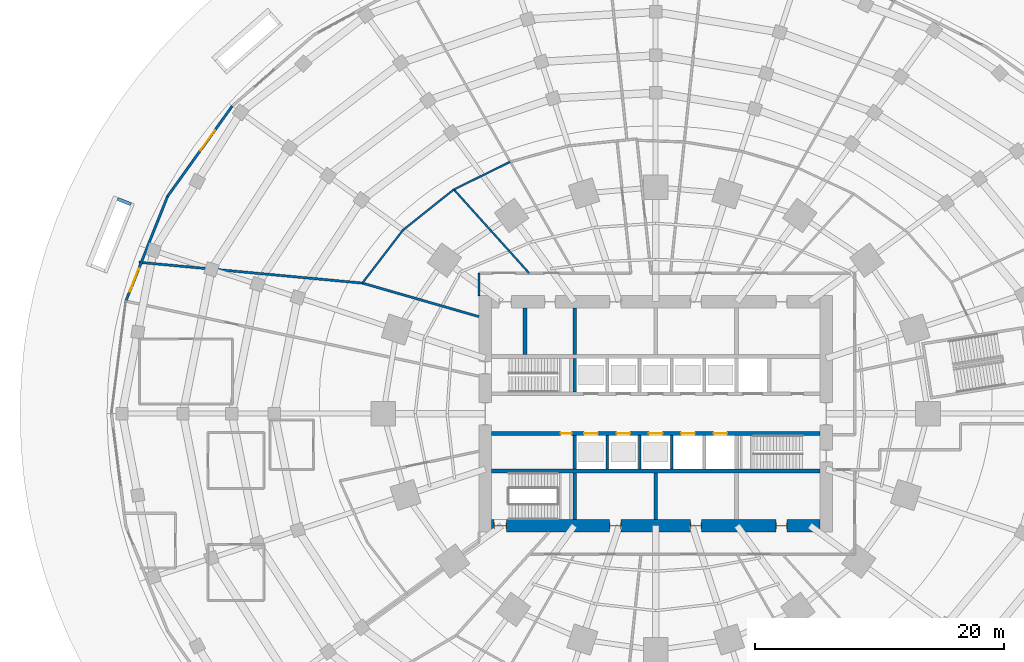
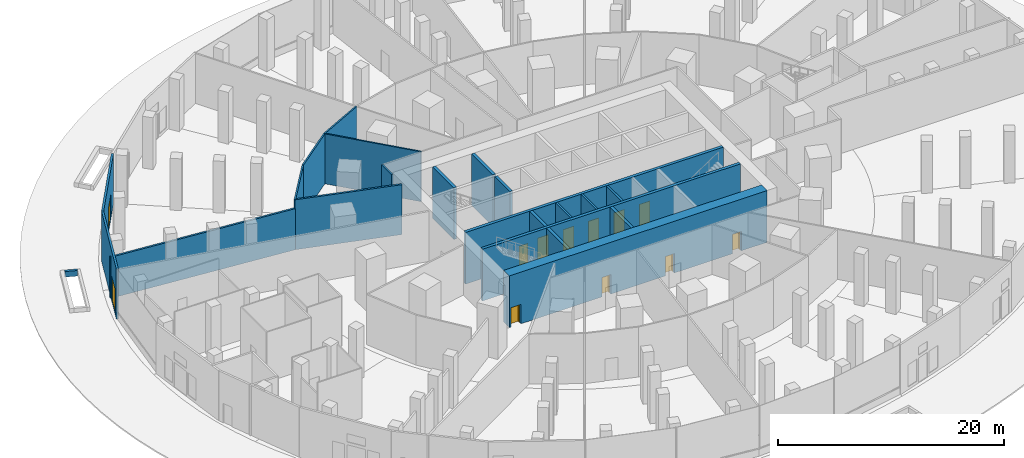
# One storey, part 16 of 23: 22 walls, 12 doors, 12 openings.
"""IFC4 building model written with IfcOpenShell, lengths in metres."""

from ifc_helpers import new_model, si_unit, direction, frame, frame_2d, origin, place, context, subcontext, project, spatial, rectangle, extrude, material, layer, layer_set, type_object, element, fill, save


model = new_model("IFC4")

# Units and contexts
model_context = context("Model", 3, precision=1e-05, world=origin(), true_north=direction((0.0, 1.0)))
body_context = subcontext(model_context, "Body", "Model", "MODEL_VIEW")
ifc_project = project(units=[si_unit("LENGTHUNIT", "METRE"), si_unit("AREAUNIT", "SQUARE_METRE"), si_unit("VOLUMEUNIT", "CUBIC_METRE"), si_unit("PLANEANGLEUNIT", "RADIAN"), si_unit("MASSUNIT", "GRAM", prefix="KILO")], contexts=[model_context])

# Site, building, storey
site_placement = place(None, origin())
site = spatial("IfcSite", under=ifc_project, at=site_placement, CompositionType="ELEMENT")
building_placement = place(site_placement, origin())
building = spatial("IfcBuilding", under=site, at=building_placement, Name="Marramba Exchange Tower", CompositionType="ELEMENT")
storey_placement = place(building_placement, origin())
storey = spatial("IfcBuildingStorey", under=building, at=storey_placement, Name="L00", CompositionType="ELEMENT", Elevation=0.0)

# Walls
ifc_material_1 = material(Name="Concrete N50", Category="concrete")
ifc_layer_1 = layer(ifc_material_1, 0.199951171875)
ifc_layer_set_1 = layer_set([ifc_layer_1], Name="Core shaft wall 200")
wall_type_1 = type_object("IfcWallType", Name="Core shaft wall 200", PredefinedType="SHEAR", material=ifc_layer_set_1)
for number, where, z_axis, x_axis, name in (
    (1, (-3.89990234375, -1.75, 0.0), (0.0, 0.0, 1.0), (0.0, -1.0, 0.0), "Core wall SHS1 L00"),
    (2, (-1.300048828125, -1.75, 0.0), (0.0, 0.0, 1.0), (0.0, -1.0, 0.0), "Core wall SHS2 L00"),
    (3, (1.300048828125, -1.75, 0.0), (0.0, 0.0, 1.0), (0.0, -1.0, 0.0), "Core wall SHS3 L00"),
):
    element("IfcWall", number, at=place(storey_placement, frame(where, z_axis=z_axis, x_axis=x_axis)), inside=storey, type_object=wall_type_1, Name=name, PredefinedType="SHEAR", context=body_context, shape_type="SweptSolid", body=[
        extrude(rectangle(XDim=2.699951171875, YDim=0.199951171875, at=frame_2d((1.35009765625, 0.0))), origin(), (0.0, 0.0, 1.0), 5.60009765625),
    ])

# Wall, openings, doors
ifc_layer_2 = layer(ifc_material_1, 1.0)
ifc_layer_set_2 = layer_set([ifc_layer_2], Name="Core wall 1000")
wall_type_2 = type_object("IfcWallType", Name="Core wall 1000", PredefinedType="SHEAR", material=ifc_layer_set_2)
wall_1_placement = place(storey_placement, frame((-13.199951171875, -9.0, 0.0), z_axis=(0.0, 0.0, 1.0), x_axis=(1.0, 0.0, 0.0)))
wall_1 = element("IfcWall", 4, at=wall_1_placement, inside=storey, type_object=wall_type_2, Name="Core wall S L00", PredefinedType="SHEAR", context=body_context, shape_type="SweptSolid", body=[
    extrude(rectangle(XDim=26.39990234375, YDim=1.0, at=frame_2d((13.199951171875, 0.0))), origin(), (0.0, 0.0, 1.0), 5.60009765625),
])
opening_1_placement = place(wall_1_placement, frame((0.199951171875, 0.0, 0.0)))
opening_1 = element("IfcOpeningElement", 5, at=opening_1_placement, cuts=wall_1, Name="Opening D2", PredefinedType="OPENING", context=body_context, shape_type="SweptSolid", body=[
    extrude(rectangle(XDim=1.0, YDim=2.10009765625, at=frame_2d((0.5, 1.050048828125))), frame((0.0, 0.510009765625, 0.0), z_axis=(0.0, -1.0, 0.0), x_axis=(1.0, 0.0, 0.0)), (0.0, 0.0, 1.0), 1.02001953125),
])
opening_2_placement = place(wall_1_placement, frame((9.5, 0.0, 0.0)))
opening_2 = element("IfcOpeningElement", 6, at=opening_2_placement, cuts=wall_1, Name="Opening D5", PredefinedType="OPENING", context=body_context, shape_type="SweptSolid", body=[
    extrude(rectangle(XDim=0.89990234375, YDim=2.10009765625, at=frame_2d((0.449951171875, 1.050048828125))), frame((0.0, 0.510009765625, 0.0), z_axis=(0.0, -1.0, 0.0), x_axis=(1.0, 0.0, 0.0)), (0.0, 0.0, 1.0), 1.02001953125),
])
opening_3_placement = place(wall_1_placement, frame((16.0, 0.0, 0.0)))
opening_3 = element("IfcOpeningElement", 7, at=opening_3_placement, cuts=wall_1, Name="Opening D5", PredefinedType="OPENING", context=body_context, shape_type="SweptSolid", body=[
    extrude(rectangle(XDim=0.89990234375, YDim=2.10009765625, at=frame_2d((0.449951171875, 1.050048828125))), frame((0.0, 0.510009765625, 0.0), z_axis=(0.0, -1.0, 0.0), x_axis=(1.0, 0.0, 0.0)), (0.0, 0.0, 1.0), 1.02001953125),
])
opening_4_placement = place(wall_1_placement, frame((22.85009765625, 0.0, 0.0)))
opening_4 = element("IfcOpeningElement", 8, at=opening_4_placement, cuts=wall_1, Name="Opening D5", PredefinedType="OPENING", context=body_context, shape_type="SweptSolid", body=[
    extrude(rectangle(XDim=0.89990234375, YDim=2.10009765625, at=frame_2d((0.449951171875, 1.050048828125))), frame((0.0, 0.510009765625, 0.0), z_axis=(0.0, -1.0, 0.0), x_axis=(1.0, 0.0, 0.0)), (0.0, 0.0, 1.0), 1.02001953125),
])
ifc_material_2 = material(Name="Steel-framed door", Category="steel")
door_type_1 = type_object("IfcDoorType", Name="Service door 900x2100", OperationType="SINGLE_SWING_LEFT", PredefinedType="DOOR", material=ifc_material_2)
door_1_placement = place(opening_2_placement, origin())
door_1 = element("IfcDoor", 9, at=door_1_placement, inside=storey, type_object=door_type_1, Name="D5 ahu L00", OperationType="SINGLE_SWING_RIGHT", OverallHeight=2.10009765625, OverallWidth=0.89990234375, PredefinedType="DOOR", context=body_context, shape_type="SweptSolid", body=[
    extrude(rectangle(XDim=0.81982421875, YDim=2.06005859375, at=frame_2d((0.449951171875, 1.030029296875))), frame((0.0, 0.02490234375, 0.0), z_axis=(0.0, -1.0, 0.0), x_axis=(1.0, 0.0, 0.0)), (0.0, 0.0, 1.0), 0.050048828125),
    extrude(rectangle(XDim=0.04, YDim=2.10009765625, at=frame_2d((0.02001953125, 1.050048828125))), frame((0.0, 0.25, 0.0), z_axis=(0.0, -1.0, 0.0), x_axis=(1.0, 0.0, 0.0)), (0.0, 0.0, 1.0), 0.5),
    extrude(rectangle(XDim=0.04, YDim=2.10009765625, at=frame_2d((0.8798828125, 1.050048828125))), frame((0.0, 0.25, 0.0), z_axis=(0.0, -1.0, 0.0), x_axis=(1.0, 0.0, 0.0)), (0.0, 0.0, 1.0), 0.5),
    extrude(rectangle(XDim=0.81982421875, YDim=0.04, at=frame_2d((0.449951171875, 2.080078125))), frame((0.0, 0.25, 0.0), z_axis=(0.0, -1.0, 0.0), x_axis=(1.0, 0.0, 0.0)), (0.0, 0.0, 1.0), 0.5),
])
fill(opening_2, door_1)
door_2_placement = place(opening_3_placement, origin())
door_2 = element("IfcDoor", 10, at=door_2_placement, inside=storey, type_object=door_type_1, Name="D5 switch L00", OperationType="SINGLE_SWING_RIGHT", OverallHeight=2.10009765625, OverallWidth=0.89990234375, PredefinedType="DOOR", context=body_context, shape_type="SweptSolid", body=[
    extrude(rectangle(XDim=0.81982421875, YDim=2.06005859375, at=frame_2d((0.449951171875, 1.030029296875))), frame((0.0, 0.02490234375, 0.0), z_axis=(0.0, -1.0, 0.0), x_axis=(1.0, 0.0, 0.0)), (0.0, 0.0, 1.0), 0.050048828125),
    extrude(rectangle(XDim=0.04, YDim=2.10009765625, at=frame_2d((0.02001953125, 1.050048828125))), frame((0.0, 0.25, 0.0), z_axis=(0.0, -1.0, 0.0), x_axis=(1.0, 0.0, 0.0)), (0.0, 0.0, 1.0), 0.5),
    extrude(rectangle(XDim=0.04, YDim=2.10009765625, at=frame_2d((0.8798828125, 1.050048828125))), frame((0.0, 0.25, 0.0), z_axis=(0.0, -1.0, 0.0), x_axis=(1.0, 0.0, 0.0)), (0.0, 0.0, 1.0), 0.5),
    extrude(rectangle(XDim=0.81982421875, YDim=0.04, at=frame_2d((0.449951171875, 2.080078125))), frame((0.0, 0.25, 0.0), z_axis=(0.0, -1.0, 0.0), x_axis=(1.0, 0.0, 0.0)), (0.0, 0.0, 1.0), 0.5),
])
fill(opening_3, door_2)
door_3_placement = place(opening_4_placement, origin())
door_3 = element("IfcDoor", 11, at=door_3_placement, inside=storey, type_object=door_type_1, Name="D5 cstore L00", OperationType="SINGLE_SWING_RIGHT", OverallHeight=2.10009765625, OverallWidth=0.89990234375, PredefinedType="DOOR", context=body_context, shape_type="SweptSolid", body=[
    extrude(rectangle(XDim=0.81982421875, YDim=2.06005859375, at=frame_2d((0.449951171875, 1.030029296875))), frame((0.0, 0.02490234375, 0.0), z_axis=(0.0, -1.0, 0.0), x_axis=(1.0, 0.0, 0.0)), (0.0, 0.0, 1.0), 0.050048828125),
    extrude(rectangle(XDim=0.04, YDim=2.10009765625, at=frame_2d((0.02001953125, 1.050048828125))), frame((0.0, 0.25, 0.0), z_axis=(0.0, -1.0, 0.0), x_axis=(1.0, 0.0, 0.0)), (0.0, 0.0, 1.0), 0.5),
    extrude(rectangle(XDim=0.04, YDim=2.10009765625, at=frame_2d((0.8798828125, 1.050048828125))), frame((0.0, 0.25, 0.0), z_axis=(0.0, -1.0, 0.0), x_axis=(1.0, 0.0, 0.0)), (0.0, 0.0, 1.0), 0.5),
    extrude(rectangle(XDim=0.81982421875, YDim=0.04, at=frame_2d((0.449951171875, 2.080078125))), frame((0.0, 0.25, 0.0), z_axis=(0.0, -1.0, 0.0), x_axis=(1.0, 0.0, 0.0)), (0.0, 0.0, 1.0), 0.5),
])
fill(opening_4, door_3)
door_type_2 = type_object("IfcDoorType", Name="Stair door 1000x2100", OperationType="SINGLE_SWING_LEFT", PredefinedType="DOOR", material=ifc_material_2)
door_4_placement = place(opening_1_placement, frame((1.0, 0.0, 0.0), z_axis=(0.0, 0.0, 1.0), x_axis=(-1.0, 0.0, 0.0)))
door_4 = element("IfcDoor", 12, at=door_4_placement, inside=storey, type_object=door_type_2, Name="D2 stair ST3 L00", OperationType="SINGLE_SWING_RIGHT", OverallHeight=2.10009765625, OverallWidth=1.0, PredefinedType="DOOR", context=body_context, shape_type="SweptSolid", body=[
    extrude(rectangle(XDim=0.919921875, YDim=2.06005859375, at=frame_2d((0.5, 1.030029296875))), frame((0.0, 0.025146484375, 0.0), z_axis=(0.0, -1.0, 0.0), x_axis=(1.0, 0.0, 0.0)), (0.0, 0.0, 1.0), 0.050048828125),
    extrude(rectangle(XDim=0.04, YDim=2.10009765625, at=frame_2d((0.97998046875, 1.050048828125))), frame((0.0, 0.25, 0.0), z_axis=(0.0, -1.0, 0.0), x_axis=(1.0, 0.0, 0.0)), (0.0, 0.0, 1.0), 0.5),
    extrude(rectangle(XDim=0.04, YDim=2.10009765625, at=frame_2d((0.02001953125, 1.050048828125))), frame((0.0, 0.25, 0.0), z_axis=(0.0, -1.0, 0.0), x_axis=(1.0, 0.0, 0.0)), (0.0, 0.0, 1.0), 0.5),
    extrude(rectangle(XDim=0.919921875, YDim=0.04, at=frame_2d((0.5, 2.080078125))), frame((0.0, 0.25, 0.0), z_axis=(0.0, -1.0, 0.0), x_axis=(1.0, 0.0, 0.0)), (0.0, 0.0, 1.0), 0.5),
])
fill(opening_1, door_4)

ifc_layer_3 = layer(ifc_material_1, 0.300048828125)
ifc_layer_set_3 = layer_set([ifc_layer_3], Name="Core wall 300")
wall_type_3 = type_object("IfcWallType", Name="Core wall 300", PredefinedType="SHEAR", material=ifc_layer_set_3)
wall_2_placement = place(storey_placement, frame((-13.199951171875, -1.60009765625, 0.0), z_axis=(0.0, 0.0, 1.0), x_axis=(1.0, 0.0, 0.0)))
wall_2 = element("IfcWall", 13, at=wall_2_placement, inside=storey, type_object=wall_type_3, Name="Core wall LS L00", PredefinedType="SHEAR", context=body_context, shape_type="SweptSolid", body=[
    extrude(rectangle(XDim=26.39990234375, YDim=0.300048828125, at=frame_2d((13.199951171875, 0.0))), origin(), (0.0, 0.0, 1.0), 5.60009765625),
])
opening_5_placement = place(wall_2_placement, frame((7.449951171875, 0.0, 0.0)))
opening_5 = element("IfcOpeningElement", 14, at=opening_5_placement, cuts=wall_2, Name="Opening LD1", PredefinedType="OPENING", context=body_context, shape_type="SweptSolid", body=[
    extrude(rectangle(XDim=1.10009765625, YDim=2.300048828125, at=frame_2d((0.550048828125, 1.14990234375))), frame((0.0, 0.159912109375, 0.0), z_axis=(0.0, -1.0, 0.0), x_axis=(1.0, 0.0, 0.0)), (0.0, 0.0, 1.0), 0.320068359375),
])
opening_6_placement = place(wall_2_placement, frame((10.050048828125, 0.0, 0.0)))
opening_6 = element("IfcOpeningElement", 15, at=opening_6_placement, cuts=wall_2, Name="Opening LD1", PredefinedType="OPENING", context=body_context, shape_type="SweptSolid", body=[
    extrude(rectangle(XDim=1.10009765625, YDim=2.300048828125, at=frame_2d((0.550048828125, 1.14990234375))), frame((0.0, 0.159912109375, 0.0), z_axis=(0.0, -1.0, 0.0), x_axis=(1.0, 0.0, 0.0)), (0.0, 0.0, 1.0), 0.320068359375),
])
opening_7_placement = place(wall_2_placement, frame((12.64990234375, 0.0, 0.0)))
opening_7 = element("IfcOpeningElement", 16, at=opening_7_placement, cuts=wall_2, Name="Opening LD1", PredefinedType="OPENING", context=body_context, shape_type="SweptSolid", body=[
    extrude(rectangle(XDim=1.10009765625, YDim=2.300048828125, at=frame_2d((0.550048828125, 1.14990234375))), frame((0.0, 0.159912109375, 0.0), z_axis=(0.0, -1.0, 0.0), x_axis=(1.0, 0.0, 0.0)), (0.0, 0.0, 1.0), 0.320068359375),
])
opening_8_placement = place(wall_2_placement, frame((15.25, 0.0, 0.0)))
opening_8 = element("IfcOpeningElement", 17, at=opening_8_placement, cuts=wall_2, Name="Opening LD2", PredefinedType="OPENING", context=body_context, shape_type="SweptSolid", body=[
    extrude(rectangle(XDim=1.10009765625, YDim=2.300048828125, at=frame_2d((0.550048828125, 1.14990234375))), frame((0.0, 0.159912109375, 0.0), z_axis=(0.0, -1.0, 0.0), x_axis=(1.0, 0.0, 0.0)), (0.0, 0.0, 1.0), 0.320068359375),
])
opening_9_placement = place(wall_2_placement, frame((17.85009765625, 0.0, 0.0)))
opening_9 = element("IfcOpeningElement", 18, at=opening_9_placement, cuts=wall_2, Name="Opening LD2", PredefinedType="OPENING", context=body_context, shape_type="SweptSolid", body=[
    extrude(rectangle(XDim=1.10009765625, YDim=2.300048828125, at=frame_2d((0.550048828125, 1.14990234375))), frame((0.0, 0.159912109375, 0.0), z_axis=(0.0, -1.0, 0.0), x_axis=(1.0, 0.0, 0.0)), (0.0, 0.0, 1.0), 0.320068359375),
])
opening_10_placement = place(wall_2_placement, frame((5.550048828125, 0.0, 0.0)))
opening_10 = element("IfcOpeningElement", 19, at=opening_10_placement, cuts=wall_2, Name="Opening D5", PredefinedType="OPENING", context=body_context, shape_type="SweptSolid", body=[
    extrude(rectangle(XDim=0.89990234375, YDim=2.10009765625, at=frame_2d((0.449951171875, 1.050048828125))), frame((0.0, 0.159912109375, 0.0), z_axis=(0.0, -1.0, 0.0), x_axis=(1.0, 0.0, 0.0)), (0.0, 0.0, 1.0), 0.320068359375),
])
door_type_3 = type_object("IfcDoorType", Name="Emergency lift landing door 1100x2300", OperationType="SLIDING_TO_LEFT", PredefinedType="DOOR", material=ifc_material_2)
door_5_placement = place(opening_8_placement, frame((1.10009765625, 0.0, 0.0), z_axis=(0.0, 0.0, 1.0), x_axis=(-1.0, 0.0, 0.0)))
door_5 = element("IfcDoor", 20, at=door_5_placement, inside=storey, type_object=door_type_3, Name="FL1 landing door L00", OperationType="SLIDING_TO_RIGHT", OverallHeight=2.300048828125, OverallWidth=1.10009765625, PredefinedType="DOOR", context=body_context, shape_type="SweptSolid", body=[
    extrude(rectangle(XDim=1.10009765625, YDim=2.300048828125, at=frame_2d((0.550048828125, 1.14990234375))), frame((0.0, 0.025146484375, 0.0), z_axis=(0.0, -1.0, 0.0), x_axis=(1.0, 0.0, 0.0)), (0.0, 0.0, 1.0), 0.050048828125),
])
fill(opening_8, door_5)
door_6_placement = place(opening_9_placement, frame((1.10009765625, 0.0, 0.0), z_axis=(0.0, 0.0, 1.0), x_axis=(-1.0, 0.0, 0.0)))
door_6 = element("IfcDoor", 21, at=door_6_placement, inside=storey, type_object=door_type_3, Name="FL2 landing door L00", OperationType="SLIDING_TO_LEFT", OverallHeight=2.300048828125, OverallWidth=1.10009765625, PredefinedType="DOOR", context=body_context, shape_type="SweptSolid", body=[
    extrude(rectangle(XDim=1.10009765625, YDim=2.300048828125, at=frame_2d((0.550048828125, 1.14990234375))), frame((0.0, 0.025146484375, 0.0), z_axis=(0.0, -1.0, 0.0), x_axis=(1.0, 0.0, 0.0)), (0.0, 0.0, 1.0), 0.050048828125),
])
fill(opening_9, door_6)
door_type_4 = type_object("IfcDoorType", Name="Lift landing door 1100x2300", OperationType="SLIDING_TO_LEFT", PredefinedType="DOOR", material=ifc_material_2)
door_7_placement = place(opening_5_placement, frame((1.10009765625, 0.0, 0.0), z_axis=(0.0, 0.0, 1.0), x_axis=(-1.0, 0.0, 0.0)))
door_7 = element("IfcDoor", 22, at=door_7_placement, inside=storey, type_object=door_type_4, Name="LB1 landing door L00", OperationType="SLIDING_TO_LEFT", OverallHeight=2.300048828125, OverallWidth=1.10009765625, PredefinedType="DOOR", context=body_context, shape_type="SweptSolid", body=[
    extrude(rectangle(XDim=1.10009765625, YDim=2.300048828125, at=frame_2d((0.550048828125, 1.14990234375))), frame((0.0, 0.025146484375, 0.0), z_axis=(0.0, -1.0, 0.0), x_axis=(1.0, 0.0, 0.0)), (0.0, 0.0, 1.0), 0.050048828125),
])
fill(opening_5, door_7)
door_8_placement = place(opening_6_placement, frame((1.10009765625, 0.0, 0.0), z_axis=(0.0, 0.0, 1.0), x_axis=(-1.0, 0.0, 0.0)))
door_8 = element("IfcDoor", 23, at=door_8_placement, inside=storey, type_object=door_type_4, Name="LB2 landing door L00", OperationType="SLIDING_TO_RIGHT", OverallHeight=2.300048828125, OverallWidth=1.10009765625, PredefinedType="DOOR", context=body_context, shape_type="SweptSolid", body=[
    extrude(rectangle(XDim=1.10009765625, YDim=2.300048828125, at=frame_2d((0.550048828125, 1.14990234375))), frame((0.0, 0.025146484375, 0.0), z_axis=(0.0, -1.0, 0.0), x_axis=(1.0, 0.0, 0.0)), (0.0, 0.0, 1.0), 0.050048828125),
])
fill(opening_6, door_8)
door_9_placement = place(opening_7_placement, frame((1.10009765625, 0.0, 0.0), z_axis=(0.0, 0.0, 1.0), x_axis=(-1.0, 0.0, 0.0)))
door_9 = element("IfcDoor", 24, at=door_9_placement, inside=storey, type_object=door_type_4, Name="LB3 landing door L00", OperationType="SLIDING_TO_RIGHT", OverallHeight=2.300048828125, OverallWidth=1.10009765625, PredefinedType="DOOR", context=body_context, shape_type="SweptSolid", body=[
    extrude(rectangle(XDim=1.10009765625, YDim=2.300048828125, at=frame_2d((0.550048828125, 1.14990234375))), frame((0.0, 0.025146484375, 0.0), z_axis=(0.0, -1.0, 0.0), x_axis=(1.0, 0.0, 0.0)), (0.0, 0.0, 1.0), 0.050048828125),
])
fill(opening_7, door_9)
door_10_placement = place(opening_10_placement, frame((0.89990234375, 0.0, 0.0), z_axis=(0.0, 0.0, 1.0), x_axis=(-1.0, 0.0, 0.0)))
door_10 = element("IfcDoor", 25, at=door_10_placement, inside=storey, type_object=door_type_1, Name="D5 electrical riser L00", OperationType="SINGLE_SWING_LEFT", OverallHeight=2.10009765625, OverallWidth=0.89990234375, PredefinedType="DOOR", context=body_context, shape_type="SweptSolid", body=[
    extrude(rectangle(XDim=0.89990234375, YDim=2.10009765625, at=frame_2d((0.449951171875, 1.050048828125))), frame((0.0, 0.025146484375, 0.0), z_axis=(0.0, -1.0, 0.0), x_axis=(1.0, 0.0, 0.0)), (0.0, 0.0, 1.0), 0.050048828125),
])
fill(opening_10, door_10)

# Walls
wall_3_placement = place(storey_placement, frame((-13.199951171875, -4.60009765625, 0.0), z_axis=(0.0, 0.0, 1.0), x_axis=(1.0, 0.0, 0.0)))
element("IfcWall", 26, at=wall_3_placement, inside=storey, type_object=wall_type_3, Name="Core wall BS L00", PredefinedType="SHEAR", context=body_context, shape_type="SweptSolid", body=[
    extrude(rectangle(XDim=26.39990234375, YDim=0.300048828125, at=frame_2d((13.199951171875, 0.0))), origin(), (0.0, 0.0, 1.0), 5.60009765625),
])
wall_4_placement = place(storey_placement, frame((-6.5, 1.75, 0.0), z_axis=(0.0, 0.0, 1.0), x_axis=(0.0, 1.0, 0.0)))
element("IfcWall", 27, at=wall_4_placement, inside=storey, type_object=wall_type_3, Name="Core wall X0Na L00", PredefinedType="SHEAR", context=body_context, shape_type="SweptSolid", body=[
    extrude(rectangle(XDim=2.699951171875, YDim=0.300048828125, at=frame_2d((1.35009765625, 0.0))), origin(), (0.0, 0.0, 1.0), 5.60009765625),
])
wall_5_placement = place(storey_placement, frame((-6.5, 4.75, 0.0), z_axis=(0.0, 0.0, 1.0), x_axis=(0.0, 1.0, 0.0)))
element("IfcWall", 28, at=wall_5_placement, inside=storey, type_object=wall_type_3, Name="Core wall X0Nb L00", PredefinedType="SHEAR", context=body_context, shape_type="SweptSolid", body=[
    extrude(rectangle(XDim=3.75, YDim=0.300048828125, at=frame_2d((1.875, 0.0))), origin(), (0.0, 0.0, 1.0), 5.60009765625),
])
wall_6_placement = place(storey_placement, frame((-6.5, -1.75, 0.0), z_axis=(0.0, 0.0, 1.0), x_axis=(0.0, -1.0, 0.0)))
element("IfcWall", 29, at=wall_6_placement, inside=storey, type_object=wall_type_3, Name="Core wall X0Sa L00", PredefinedType="SHEAR", context=body_context, shape_type="SweptSolid", body=[
    extrude(rectangle(XDim=2.699951171875, YDim=0.300048828125, at=frame_2d((1.35009765625, 0.0))), origin(), (0.0, 0.0, 1.0), 5.60009765625),
])
for number, where, z_axis, x_axis, name in (
    (30, (-6.5, -4.75, 0.0), (0.0, 0.0, 1.0), (0.0, -1.0, 0.0), "Core wall X0Sb L00"),
    (31, (0.0, -4.75, 0.0), (0.0, 0.0, 1.0), (0.0, -1.0, 0.0), "Core wall MS L00"),
    (32, (-10.5, 4.75, 0.0), (0.0, 0.0, 1.0), (0.0, 1.0, 0.0), "Core wall WD L00"),
):
    element("IfcWall", number, at=place(storey_placement, frame(where, z_axis=z_axis, x_axis=x_axis)), inside=storey, type_object=wall_type_3, Name=name, PredefinedType="SHEAR", context=body_context, shape_type="SweptSolid", body=[
        extrude(rectangle(XDim=3.75, YDim=0.300048828125, at=frame_2d((1.875, 0.0))), origin(), (0.0, 0.0, 1.0), 5.60009765625),
    ])

# Wall, opening, door
ifc_material_3 = material(Name="Aluminium-framed bronze cladding on steel studs", Category="steel")
ifc_layer_4 = layer(ifc_material_3, 0.199951171875)
ifc_layer_set_4 = layer_set([ifc_layer_4], Name="Door screen wall 200")
wall_type_4 = type_object("IfcWallType", Name="Door screen wall 200", PredefinedType="SOLIDWALL", material=ifc_layer_set_4)
wall_7_placement = place(storey_placement, frame((-34.03955078125, 24.731201171875, 0.0), z_axis=(0.0, 0.0, 1.0), x_axis=(-0.582334103946, -0.81294956263, 0.0)))
wall_7 = element("IfcWall", 33, at=wall_7_placement, inside=storey, type_object=wall_type_4, Name="Door screen L00 F13", PredefinedType="SOLIDWALL", context=body_context, shape_type="SweptSolid", body=[
    extrude(rectangle(XDim=8.9306640625, YDim=0.199951171875, at=frame_2d((4.46533203125, 0.0))), origin(), (0.0, 0.0, 1.0), 5.39990234375),
])
opening_11_placement = place(wall_7_placement, frame((2.41015625, 0.0, 0.0)))
opening_11 = element("IfcOpeningElement", 34, at=opening_11_placement, cuts=wall_7, Name="Opening D21", PredefinedType="OPENING", context=body_context, shape_type="SweptSolid", body=[
    extrude(rectangle(XDim=2.0, YDim=2.699951171875, at=frame_2d((1.0, 1.35009765625))), frame((0.0, 0.10986328125, 0.0), z_axis=(0.0, -1.0, 0.0), x_axis=(1.0, 0.0, 0.0)), (0.0, 0.0, 1.0), 0.219970703125),
])
ifc_material_4 = material(Name="Aluminium-framed glazed door, bronze", Category="aluminium")
door_type_5 = type_object("IfcDoorType", Name="Exit door pair 2000x2700", OperationType="DOUBLE_DOOR_SINGLE_SWING", PredefinedType="DOOR", material=ifc_material_4)
door_11_placement = place(opening_11_placement, frame((2.0, 0.0, 0.0), z_axis=(0.0, 0.0, 1.0), x_axis=(-1.0, 0.0, 0.0)))
door_11 = element("IfcDoor", 35, at=door_11_placement, inside=storey, type_object=door_type_5, Name="D21 L00", OperationType="DOUBLE_DOOR_SINGLE_SWING", OverallHeight=2.699951171875, OverallWidth=2.0, PredefinedType="DOOR", context=body_context, shape_type="SweptSolid", body=[
    extrude(rectangle(XDim=2.0, YDim=2.699951171875, at=frame_2d((1.0, 1.35009765625))), frame((0.0, 0.025146484375, 0.0), z_axis=(0.0, -1.0, 0.0), x_axis=(1.0, 0.0, 0.0)), (0.0, 0.0, 1.0), 0.050048828125),
])
fill(opening_11, door_11)

wall_8_placement = place(storey_placement, frame((-39.240234375, 17.470947265625, 0.0), z_axis=(0.0, 0.0, 1.0), x_axis=(-0.369754749145, -0.929129391143, 0.0)))
wall_8 = element("IfcWall", 36, at=wall_8_placement, inside=storey, type_object=wall_type_4, Name="Door screen L00 F14", PredefinedType="SOLIDWALL", context=body_context, shape_type="SweptSolid", body=[
    extrude(rectangle(XDim=9.060302734375, YDim=0.199951171875, at=frame_2d((4.5302734375, 0.0))), origin(), (0.0, 0.0, 1.0), 5.39990234375),
])
opening_12_placement = place(wall_8_placement, frame((6.234619140625, 0.0, 0.0)))
opening_12 = element("IfcOpeningElement", 37, at=opening_12_placement, cuts=wall_8, Name="Opening D21", PredefinedType="OPENING", context=body_context, shape_type="SweptSolid", body=[
    extrude(rectangle(XDim=2.0, YDim=2.699951171875, at=frame_2d((1.0, 1.35009765625))), frame((0.0, 0.10986328125, 0.0), z_axis=(0.0, -1.0, 0.0), x_axis=(1.0, 0.0, 0.0)), (0.0, 0.0, 1.0), 0.219970703125),
])
door_12_placement = place(opening_12_placement, frame((2.0, 0.0, 0.0), z_axis=(0.0, 0.0, 1.0), x_axis=(-1.0, 0.0, 0.0)))
door_12 = element("IfcDoor", 38, at=door_12_placement, inside=storey, type_object=door_type_5, Name="D21 L00", OperationType="DOUBLE_DOOR_SINGLE_SWING", OverallHeight=2.699951171875, OverallWidth=2.0, PredefinedType="DOOR", context=body_context, shape_type="SweptSolid", body=[
    extrude(rectangle(XDim=2.0, YDim=2.699951171875, at=frame_2d((1.0, 1.35009765625))), frame((0.0, 0.025146484375, 0.0), z_axis=(0.0, -1.0, 0.0), x_axis=(1.0, 0.0, 0.0)), (0.0, 0.0, 1.0), 0.050048828125),
])
fill(opening_12, door_12)

# Walls
ifc_material_5 = material(Name="Core-filled concrete blockwork, rendered", Category="masonry")
ifc_layer_5 = layer(ifc_material_5, 0.18994140625)
ifc_layer_set_5 = layer_set([ifc_layer_5], Name="Equipment room wall 190")
wall_type_5 = type_object("IfcWallType", Name="Equipment room wall 190", PredefinedType="SOLIDWALL", material=ifc_layer_set_5)
wall_9_placement = place(storey_placement, frame((-14.199951171875, 7.800048828125, 0.0), z_axis=(0.0, 0.0, 1.0), x_axis=(-0.961010848489, 0.27651066722, 0.0)))
element("IfcWall", 39, at=wall_9_placement, inside=storey, type_object=wall_type_5, Name="Fire control room wall L00 73", PredefinedType="SOLIDWALL", context=body_context, shape_type="SweptSolid", body=[
    extrude(rectangle(XDim=9.763427734375, YDim=0.18994140625, at=frame_2d((4.8818359375, 0.0))), origin(), (0.0, 0.0, 1.0), 5.39990234375),
])
wall_10_placement = place(storey_placement, frame((-23.582763671875, 10.499755859375, 0.0), z_axis=(0.0, 0.0, 1.0), x_axis=(-0.995692930354, 0.092712396381, 0.0)))
element("IfcWall", 40, at=wall_10_placement, inside=storey, type_object=wall_type_5, Name="Fire control room wall L00 74", PredefinedType="SOLIDWALL", context=body_context, shape_type="SweptSolid", body=[
    extrude(rectangle(XDim=18.019775390625, YDim=0.18994140625, at=frame_2d((9.009765625, 0.0))), origin(), (0.0, 0.0, 1.0), 4.449951171875),
])
ifc_material_6 = material(Name="Concrete N32, off-form, bronze capping", Category="concrete")
ifc_layer_6 = layer(ifc_material_6, 0.25)
ifc_layer_set_6 = layer_set([ifc_layer_6], Name="Planter wall 250")
wall_type_6 = type_object("IfcWallType", Name="Planter wall 250", PredefinedType="SOLIDWALL", material=ifc_layer_set_6)
wall_11_placement = place(storey_placement, frame((-42.182861328125, 16.835205078125, -0.14990234375), z_axis=(0.0, 0.0, 1.0), x_axis=(-0.92933811404, 0.369229833291, 0.0)))
element("IfcWall", 41, at=wall_11_placement, inside=storey, type_object=wall_type_6, Name="Planter P3 end wall", PredefinedType="SOLIDWALL", context=body_context, shape_type="SweptSolid", body=[
    extrude(rectangle(XDim=1.14990234375, YDim=0.25, at=frame_2d((0.574951171875, 0.0))), origin(), (0.0, 0.0, 1.0), 0.599853515625),
])
ifc_material_7 = material(Name="Fire-rated plasterboard on steel studs, acoustic insulation", Category="steel")
ifc_layer_7 = layer(ifc_material_7, 0.14990234375)
ifc_layer_set_7 = layer_set([ifc_layer_7], Name="Tenancy wall 150")
wall_type_7 = type_object("IfcWallType", Name="Tenancy wall 150", PredefinedType="PARTITIONING", material=ifc_layer_set_7)
wall_12_placement = place(storey_placement, frame((-11.69091796875, 20.24951171875, 0.0), z_axis=(0.0, 0.0, 1.0), x_axis=(-0.897697488604, -0.440612322744, 0.0)))
element("IfcWall", 42, at=wall_12_placement, inside=storey, type_object=wall_type_7, Name="Tenancy wall L00 68", PredefinedType="PARTITIONING", context=body_context, shape_type="SweptSolid", body=[
    extrude(rectangle(XDim=5.053955078125, YDim=0.14990234375, at=frame_2d((2.52685546875, 0.0))), origin(), (0.0, 0.0, 1.0), 5.39990234375),
])
wall_13_placement = place(storey_placement, frame((-10.174560546875, 11.300048828125, 0.0), z_axis=(0.0, 0.0, 1.0), x_axis=(-0.669137674556, 0.743138461183, 0.0)))
element("IfcWall", 43, at=wall_13_placement, inside=storey, type_object=wall_type_7, Name="Tenancy wall L00 69", PredefinedType="PARTITIONING", context=body_context, shape_type="SweptSolid", body=[
    extrude(rectangle(XDim=9.04638671875, YDim=0.14990234375, at=frame_2d((4.523193359375, 0.0))), origin(), (0.0, 0.0, 1.0), 5.39990234375),
])
wall_14_placement = place(storey_placement, frame((-16.227783203125, 18.022705078125, 0.0), z_axis=(0.0, 0.0, 1.0), x_axis=(-0.781542390833, -0.623852138997, 0.0)))
element("IfcWall", 44, at=wall_14_placement, inside=storey, type_object=wall_type_7, Name="Tenancy wall L00 70", PredefinedType="PARTITIONING", context=body_context, shape_type="SweptSolid", body=[
    extrude(rectangle(XDim=5.22998046875, YDim=0.14990234375, at=frame_2d((2.614990234375, 0.0))), origin(), (0.0, 0.0, 1.0), 5.39990234375),
])
wall_15_placement = place(storey_placement, frame((-14.199951171875, 11.300048828125, 0.0), z_axis=(0.0, 0.0, 1.0), x_axis=(0.0, -1.0, 0.0)))
element("IfcWall", 45, at=wall_15_placement, inside=storey, type_object=wall_type_7, Name="Tenancy wall L00 71", PredefinedType="PARTITIONING", context=body_context, shape_type="SweptSolid", body=[
    extrude(rectangle(XDim=1.800048828125, YDim=0.14990234375, at=frame_2d((0.89990234375, 0.0))), origin(), (0.0, 0.0, 1.0), 5.39990234375),
])
wall_16_placement = place(storey_placement, frame((-20.315185546875, 14.760009765625, 0.0), z_axis=(0.0, 0.0, 1.0), x_axis=(-0.608593816375, -0.793481925862, 0.0)))
element("IfcWall", 46, at=wall_16_placement, inside=storey, type_object=wall_type_7, Name="Tenancy wall L00 72", PredefinedType="PARTITIONING", context=body_context, shape_type="SweptSolid", body=[
    extrude(rectangle(XDim=5.369140625, YDim=0.14990234375, at=frame_2d((2.6845703125, 0.0))), origin(), (0.0, 0.0, 1.0), 5.39990234375),
])

save(model, "model.ifc")
